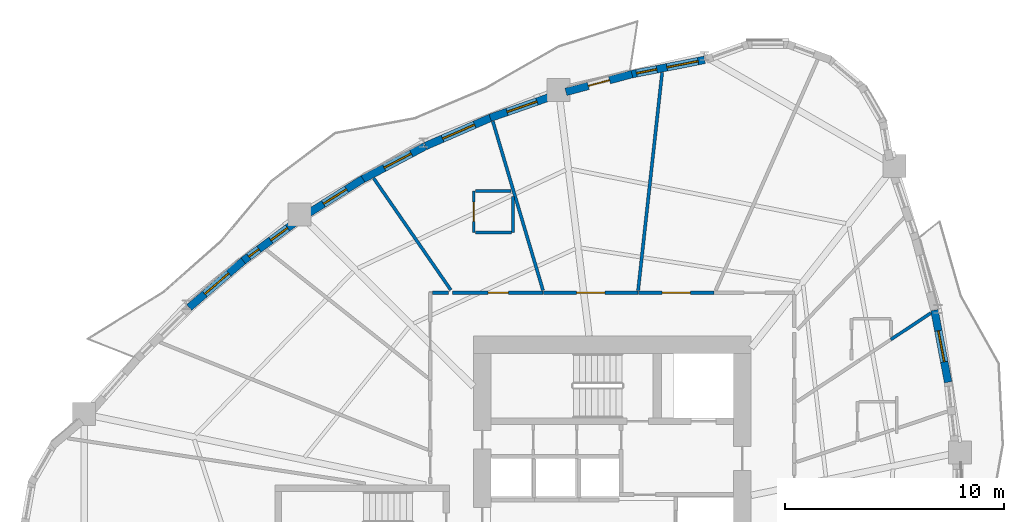
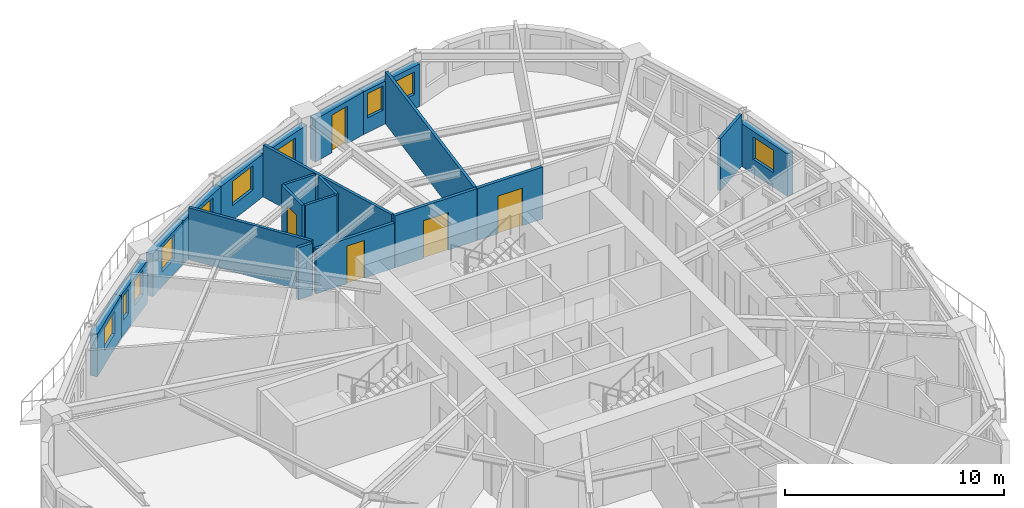
# One storey, part 8 of 13: 21 walls, 10 windows, 5 doors, 15 openings.
"""IFC4 building model written with IfcOpenShell, lengths in metres."""

from ifc_helpers import new_model, si_unit, direction, frame, frame_2d, origin, place, context, subcontext, project, spatial, rectangle, extrude, source, transform, mapped, material, layer, layer_set, type_object, element, fill, save


model = new_model("IFC4")

# Units and contexts
model_context = context("Model", 3, precision=1e-05, world=origin(), true_north=direction((0.0, 1.0)))
body_context = subcontext(model_context, "Body", "Model", "MODEL_VIEW")
ifc_project = project(units=[si_unit("LENGTHUNIT", "METRE"), si_unit("AREAUNIT", "SQUARE_METRE"), si_unit("VOLUMEUNIT", "CUBIC_METRE"), si_unit("PLANEANGLEUNIT", "RADIAN"), si_unit("MASSUNIT", "GRAM", prefix="KILO")], contexts=[model_context])

# Site, building, storey
site_placement = place(None, origin())
site = spatial("IfcSite", under=ifc_project, at=site_placement, CompositionType="ELEMENT")
building_placement = place(site_placement, origin())
building = spatial("IfcBuilding", under=site, at=building_placement, Name="Qafzar Sky-Pleat Residences", CompositionType="ELEMENT")
storey_placement = place(building_placement, frame((0.0, 0.0, 62.199951171875)))
storey = spatial("IfcBuildingStorey", under=building, at=storey_placement, Name="L18", CompositionType="ELEMENT", Elevation=62.199951171875)

# Wall, opening, door
ifc_material_1 = material(Name="Acoustic gypsum plasterboard partition", Category="gypsum")
ifc_layer_1 = layer(ifc_material_1, 0.159912109375)
ifc_layer_set_1 = layer_set([ifc_layer_1], Name="Acoustic gypsum plasterboard partition")
wall_type_1 = type_object("IfcWallType", Name="PART-COR-160", PredefinedType="PARTITIONING", material=ifc_layer_set_1)
wall_1_placement = place(storey_placement, frame((27.19189453125, 36.580078125, 0.0), z_axis=(0.0, 0.0, 1.0), x_axis=(1.0, 0.0, 0.0)))
wall_1 = element("IfcWall", 1, at=wall_1_placement, inside=storey, type_object=wall_type_1, Name="L18 Partition Wall PART-L18-PW-002", PredefinedType="PARTITIONING", context=body_context, shape_type="SweptSolid", body=[
    extrude(rectangle(XDim=4.339111328125, YDim=0.159912109375, at=frame_2d((2.16943359375, 0.0))), origin(), (0.0, 0.0, 1.0), 2.900146484375),
])
opening_1_placement = place(wall_1_placement, frame((1.52001953125, 0.0, 0.0)))
opening_1 = element("IfcOpeningElement", 2, at=opening_1_placement, cuts=wall_1, Name="Opening ID-05", PredefinedType="OPENING", context=body_context, shape_type="SweptSolid", body=[
    extrude(rectangle(XDim=1.300048828125, YDim=2.10009765625, at=frame_2d((0.64990234375, 1.050048828125))), frame((0.0, 0.08984375, 0.0), z_axis=(0.0, -1.0, 0.0), x_axis=(1.0, 0.0, 0.0)), (0.0, 0.0, 1.0), 0.179931640625),
])
ifc_material_2 = material(Name="Timber-faced fire door", Category="wood")
door_type_1 = type_object("IfcDoorType", Name="DR-LNG-1300", OperationType="DOUBLE_DOOR_SINGLE_SWING", PredefinedType="DOOR", material=ifc_material_2)
shared_shape_1 = source(origin(), body_context, "Body", "SweptSolid", [
    extrude(rectangle(XDim=1.300048828125, YDim=2.10009765625, at=frame_2d((0.64990234375, 1.050048828125))), frame((0.0, 0.02490234375, 0.0), z_axis=(0.0, -1.0, 0.0), x_axis=(1.0, 0.0, 0.0)), (0.0, 0.0, 1.0), 0.050048828125),
])
door_1_placement = place(opening_1_placement, origin())
door_1 = element("IfcDoor", 3, at=door_1_placement, inside=storey, type_object=door_type_1, Name="L18 Graduate Lecture Room Door", OperationType="DOUBLE_DOOR_SINGLE_SWING", OverallHeight=2.10009765625, OverallWidth=1.300048828125, PredefinedType="DOOR", context=body_context, shape_type="MappedRepresentation", body=[
    mapped(shared_shape_1, transform((0.0, 0.0, 0.0), x_axis=(1.0, 0.0, 0.0), y_axis=(0.0, 1.0, 0.0), z_axis=(0.0, 0.0, 1.0), scale=1.0)),
])
fill(opening_1, door_1)

wall_2_placement = place(storey_placement, frame((23.02490234375, 36.580078125, 0.0), z_axis=(0.0, 0.0, 1.0), x_axis=(1.0, 0.0, 0.0)))
wall_2 = element("IfcWall", 4, at=wall_2_placement, inside=storey, type_object=wall_type_1, Name="L18 Partition Wall PART-L18-PW-003", PredefinedType="PARTITIONING", context=body_context, shape_type="SweptSolid", body=[
    extrude(rectangle(XDim=4.152099609375, YDim=0.159912109375, at=frame_2d((2.076171875, 0.0))), origin(), (0.0, 0.0, 1.0), 2.508056640625),
])
opening_2_placement = place(wall_2_placement, frame((1.640380859375, 0.0, 0.0)))
opening_2 = element("IfcOpeningElement", 5, at=opening_2_placement, cuts=wall_2, Name="Opening ID-04", PredefinedType="OPENING", context=body_context, shape_type="SweptSolid", body=[
    extrude(rectangle(XDim=0.919921875, YDim=2.10009765625, at=frame_2d((0.4599609375, 1.050048828125))), frame((0.0, 0.08984375, 0.0), z_axis=(0.0, -1.0, 0.0), x_axis=(1.0, 0.0, 0.0)), (0.0, 0.0, 1.0), 0.179931640625),
])
door_type_2 = type_object("IfcDoorType", Name="DR-BED-920", OperationType="NOTDEFINED", PredefinedType="DOOR", material=ifc_material_2)
shared_shape_2 = source(origin(), body_context, "Body", "SweptSolid", [
    extrude(rectangle(XDim=0.919921875, YDim=2.10009765625, at=frame_2d((0.4599609375, 1.050048828125))), frame((0.0, 0.02490234375, 0.0), z_axis=(0.0, -1.0, 0.0), x_axis=(1.0, 0.0, 0.0)), (0.0, 0.0, 1.0), 0.050048828125),
])
door_2_placement = place(opening_2_placement, origin())
door_2 = element("IfcDoor", 6, at=door_2_placement, inside=storey, type_object=door_type_2, Name="L18 Co-Living Bedroom 9 Door", OperationType="SINGLE_SWING_LEFT", OverallHeight=2.10009765625, OverallWidth=0.919921875, PredefinedType="DOOR", context=body_context, shape_type="MappedRepresentation", body=[
    mapped(shared_shape_2, transform((0.0, 0.0, 0.0), x_axis=(1.0, 0.0, 0.0), y_axis=(0.0, 1.0, 0.0), z_axis=(0.0, 0.0, 1.0), scale=1.0)),
])
fill(opening_2, door_2)

wall_3_placement = place(storey_placement, frame((31.5458984375, 36.580078125, 0.0), z_axis=(0.0, 0.0, 1.0), x_axis=(1.0, 0.0, 0.0)))
wall_3 = element("IfcWall", 7, at=wall_3_placement, inside=storey, type_object=wall_type_1, Name="L18 Partition Wall PART-L18-PW-006", PredefinedType="PARTITIONING", context=body_context, shape_type="SweptSolid", body=[
    extrude(rectangle(XDim=3.4501953125, YDim=0.159912109375, at=frame_2d((1.72509765625, 0.0))), origin(), (0.0, 0.0, 1.0), 2.900146484375),
])
opening_3_placement = place(wall_3_placement, frame((1.075439453125, 0.0, 0.0)))
opening_3 = element("IfcOpeningElement", 8, at=opening_3_placement, cuts=wall_3, Name="Opening ID-05", PredefinedType="OPENING", context=body_context, shape_type="SweptSolid", body=[
    extrude(rectangle(XDim=1.300048828125, YDim=2.10009765625, at=frame_2d((0.64990234375, 1.050048828125))), frame((0.0, 0.08984375, 0.0), z_axis=(0.0, -1.0, 0.0), x_axis=(1.0, 0.0, 0.0)), (0.0, 0.0, 1.0), 0.179931640625),
])
door_3_placement = place(opening_3_placement, origin())
door_3 = element("IfcDoor", 9, at=door_3_placement, inside=storey, type_object=door_type_1, Name="L18 Research Conference Room Door", OperationType="DOUBLE_DOOR_SINGLE_SWING", OverallHeight=2.10009765625, OverallWidth=1.300048828125, PredefinedType="DOOR", context=body_context, shape_type="MappedRepresentation", body=[
    mapped(shared_shape_1, transform((0.0, 0.0, 0.0), x_axis=(1.0, 0.0, 0.0), y_axis=(0.0, 1.0, 0.0), z_axis=(0.0, 0.0, 1.0), scale=1.0)),
])
fill(opening_3, door_3)

# Walls
wall_4_placement = place(storey_placement, frame((22.10791015625, 36.580078125, 0.0), z_axis=(0.0, 0.0, 1.0), x_axis=(1.0, 0.0, 0.0)))
element("IfcWall", 10, at=wall_4_placement, inside=storey, type_object=wall_type_1, Name="L18 Partition Wall PART-L18-PW-082", PredefinedType="PARTITIONING", context=body_context, shape_type="SweptSolid", body=[
    extrude(rectangle(XDim=0.750732421875, YDim=0.159912109375, at=frame_2d((0.37548828125, 0.0))), origin(), (0.0, 0.0, 1.0), 2.900146484375),
])
ifc_layer_2 = layer(ifc_material_1, 0.14501953125)
ifc_layer_set_2 = layer_set([ifc_layer_2], Name="Acoustic gypsum plasterboard partition")
wall_type_2 = type_object("IfcWallType", Name="PART-UNIT-145", PredefinedType="PARTITIONING", material=ifc_layer_set_2)
wall_5_placement = place(storey_placement, frame((31.526611328125, 36.67578125, 0.0), z_axis=(0.0, 0.0, 1.0), x_axis=(0.109575491405, 0.993978476469, 0.0)))
element("IfcWall", 11, at=wall_5_placement, inside=storey, type_object=wall_type_2, Name="L18 Partition Wall PART-L18-PW-037", PredefinedType="PARTITIONING", context=body_context, shape_type="SweptSolid", body=[
    extrude(rectangle(XDim=10.048583984375, YDim=0.14501953125, at=frame_2d((5.0244140625, 0.0))), origin(), (0.0, 0.0, 1.0), 2.900146484375),
])
wall_6_placement = place(storey_placement, frame((24.87939453125, 44.42236328125, 0.0), z_axis=(0.0, 0.0, 1.0), x_axis=(0.284634354208, -0.958636158511, 0.0)))
element("IfcWall", 12, at=wall_6_placement, inside=storey, type_object=wall_type_2, Name="L18 Partition Wall PART-L18-PW-043", PredefinedType="PARTITIONING", context=body_context, shape_type="SweptSolid", body=[
    extrude(rectangle(XDim=8.06787109375, YDim=0.14501953125, at=frame_2d((4.033935546875, 0.0))), origin(), (0.0, 0.0, 1.0), 2.900146484375),
])
wall_7_placement = place(storey_placement, frame((19.42333984375, 41.82275390625, 0.0), z_axis=(0.0, 0.0, 1.0), x_axis=(0.568159686118, -0.822918325881, 0.0)))
element("IfcWall", 13, at=wall_7_placement, inside=storey, type_object=wall_type_2, Name="L18 Partition Wall PART-L18-PW-048", PredefinedType="PARTITIONING", context=body_context, shape_type="SweptSolid", body=[
    extrude(rectangle(XDim=6.215576171875, YDim=0.14501953125, at=frame_2d((3.10791015625, 0.0))), origin(), (0.0, 0.0, 1.0), 2.900146484375),
])
wall_8_placement = place(storey_placement, frame((43.093994140625, 34.43896484375, 0.0), z_axis=(0.0, 0.0, 1.0), x_axis=(0.833690342454, 0.552232209219, 0.0)))
element("IfcWall", 14, at=wall_8_placement, inside=storey, type_object=wall_type_2, Name="L18 Partition Wall PART-L18-PW-059", PredefinedType="PARTITIONING", context=body_context, shape_type="SweptSolid", body=[
    extrude(rectangle(XDim=2.193603515625, YDim=0.14501953125, at=frame_2d((1.0966796875, 0.0))), origin(), (0.0, 0.0, 1.0), 2.900146484375),
])

# Wall, opening, door
ifc_material_3 = material(Name="Moisture-resistant gypsum partition", Category="gypsum")
ifc_layer_3 = layer(ifc_material_3, 0.1298828125)
ifc_layer_set_3 = layer_set([ifc_layer_3], Name="Moisture-resistant gypsum partition")
wall_type_3 = type_object("IfcWallType", Name="PART-WET-130", PredefinedType="PARTITIONING", material=ifc_layer_set_3)
wall_9_placement = place(storey_placement, frame((24.0029296875, 41.23388671875, 0.0), z_axis=(0.0, 0.0, 1.0), x_axis=(0.0, -1.0, 0.0)))
wall_9 = element("IfcWall", 15, at=wall_9_placement, inside=storey, type_object=wall_type_3, Name="L18 Partition Wall PART-L18-PW-024", PredefinedType="PARTITIONING", context=body_context, shape_type="SweptSolid", body=[
    extrude(rectangle(XDim=1.89990234375, YDim=0.1298828125, at=frame_2d((0.949951171875, 0.0))), origin(), (0.0, 0.0, 1.0), 2.900146484375),
])
opening_4_placement = place(wall_9_placement, frame((0.510009765625, 0.0, 0.0)))
opening_4 = element("IfcOpeningElement", 16, at=opening_4_placement, cuts=wall_9, Name="Opening ID-07", PredefinedType="OPENING", context=body_context, shape_type="SweptSolid", body=[
    extrude(rectangle(XDim=0.8798828125, YDim=2.050048828125, at=frame_2d((0.43994140625, 1.02490234375))), frame((0.0, 0.074951171875, 0.0), z_axis=(0.0, -1.0, 0.0), x_axis=(1.0, 0.0, 0.0)), (0.0, 0.0, 1.0), 0.14990234375),
])
door_type_3 = type_object("IfcDoorType", Name="DR-WET-880", OperationType="NOTDEFINED", PredefinedType="DOOR", material=ifc_material_2)
shared_shape_3 = source(origin(), body_context, "Body", "SweptSolid", [
    extrude(rectangle(XDim=0.8798828125, YDim=2.050048828125, at=frame_2d((0.43994140625, 1.02490234375))), frame((0.0, 0.02490234375, 0.0), z_axis=(0.0, -1.0, 0.0), x_axis=(1.0, 0.0, 0.0)), (0.0, 0.0, 1.0), 0.050048828125),
])
door_4_placement = place(opening_4_placement, origin())
door_4 = element("IfcDoor", 17, at=door_4_placement, inside=storey, type_object=door_type_3, Name="L18 En-suite Bathroom 9 Door", OperationType="SINGLE_SWING_RIGHT", OverallHeight=2.050048828125, OverallWidth=0.8798828125, PredefinedType="DOOR", context=body_context, shape_type="MappedRepresentation", body=[
    mapped(shared_shape_3, transform((0.0, 0.0, 0.0), x_axis=(1.0, 0.0, 0.0), y_axis=(0.0, 1.0, 0.0), z_axis=(0.0, 0.0, 1.0), scale=1.0)),
])
fill(opening_4, door_4)

# Walls
wall_10_placement = place(storey_placement, frame((25.802978515625, 39.333984375, 0.0), z_axis=(0.0, 0.0, 1.0), x_axis=(0.0, 1.0, 0.0)))
element("IfcWall", 18, at=wall_10_placement, inside=storey, type_object=wall_type_3, Name="L18 Partition Wall PART-L18-PW-061", PredefinedType="PARTITIONING", context=body_context, shape_type="SweptSolid", body=[
    extrude(rectangle(XDim=1.659912109375, YDim=0.1298828125, at=frame_2d((0.830078125, 0.0))), origin(), (0.0, 0.0, 1.0), 2.900146484375),
])
wall_11_placement = place(storey_placement, frame((24.075927734375, 41.23388671875, 0.0), z_axis=(0.0, 0.0, 1.0), x_axis=(1.0, 0.0, 0.0)))
element("IfcWall", 19, at=wall_11_placement, inside=storey, type_object=wall_type_3, Name="L18 Partition Wall PART-L18-PW-066", PredefinedType="PARTITIONING", context=body_context, shape_type="SweptSolid", body=[
    extrude(rectangle(XDim=1.624267578125, YDim=0.1298828125, at=frame_2d((0.81201171875, 0.0))), origin(), (0.0, 0.0, 1.0), 2.900146484375),
])
wall_12_placement = place(storey_placement, frame((24.075927734375, 39.333984375, 0.0), z_axis=(0.0, 0.0, 1.0), x_axis=(1.0, 0.0, 0.0)))
element("IfcWall", 20, at=wall_12_placement, inside=storey, type_object=wall_type_3, Name="L18 Partition Wall PART-L18-PW-067", PredefinedType="PARTITIONING", context=body_context, shape_type="SweptSolid", body=[
    extrude(rectangle(XDim=1.654052734375, YDim=0.1298828125, at=frame_2d((0.8271484375, 0.0))), origin(), (0.0, 0.0, 1.0), 2.900146484375),
])

# Wall, opening, window
ifc_material_4 = material(Name="Precast concrete C40/50 with honed Riyadh limestone", Category="concrete")
ifc_layer_4 = layer(ifc_material_4, 0.35009765625)
ifc_layer_set_4 = layer_set([ifc_layer_4], Name="Precast concrete C40/50 with honed Riyadh limestone")
wall_type_4 = type_object("IfcWallType", Name="WALL-EXT-350", PredefinedType="SOLIDWALL", material=ifc_layer_set_4)
wall_13_placement = place(storey_placement, frame((45.71337890625, 32.48583984375, 0.0), z_axis=(0.0, 0.0, 1.0), x_axis=(-0.186603748992, 0.982435260392, 0.0)))
wall_13 = element("IfcWall", 21, at=wall_13_placement, inside=storey, type_object=wall_type_4, Name="L18 Limestone Facade Wall 30", PredefinedType="SOLIDWALL", context=body_context, shape_type="SweptSolid", body=[
    extrude(rectangle(XDim=3.3544921875, YDim=0.35009765625, at=frame_2d((1.67724609375, 0.0))), origin(), (0.0, 0.0, 1.0), 2.380126953125),
])
opening_5_placement = place(wall_13_placement, frame((0.94775390625, 0.0, 0.820068359375)))
opening_5 = element("IfcOpeningElement", 22, at=opening_5_placement, cuts=wall_13, Name="Opening WN-15", PredefinedType="OPENING", context=body_context, shape_type="SweptSolid", body=[
    extrude(rectangle(XDim=1.449951171875, YDim=1.25, at=frame_2d((0.72509765625, 0.625))), frame((0.0, 0.18505859375, 0.0), z_axis=(0.0, -1.0, 0.0), x_axis=(1.0, 0.0, 0.0)), (0.0, 0.0, 1.0), 0.3701171875),
])
ifc_material_5 = material(Name="Solar-control low-E glass in bronze aluminium frame", Category="glass")
window_type_1 = type_object("IfcWindowType", Name="WIN-15", PartitioningType="SINGLE_PANEL", PredefinedType="WINDOW", material=ifc_material_5)
shared_shape_4 = source(origin(), body_context, "Body", "SweptSolid", [
    extrude(rectangle(XDim=1.449951171875, YDim=1.25, at=frame_2d((0.72509765625, 0.625))), frame((0.0, 0.030029296875, 0.0), z_axis=(0.0, -1.0, 0.0), x_axis=(1.0, 0.0, 0.0)), (0.0, 0.0, 1.0), 0.06005859375),
])
window_1_placement = place(opening_5_placement, origin())
window_1 = element("IfcWindow", 23, at=window_1_placement, inside=storey, type_object=window_type_1, Name="L18 Punched Facade Window 30", OverallHeight=1.25, OverallWidth=1.449951171875, PartitioningType="SINGLE_PANEL", PredefinedType="WINDOW", context=body_context, shape_type="MappedRepresentation", body=[
    mapped(shared_shape_4, transform((0.0, 0.0, 0.0), x_axis=(1.0, 0.0, 0.0), y_axis=(0.0, 1.0, 0.0), z_axis=(0.0, 0.0, 1.0), scale=1.0)),
])
fill(opening_5, window_1)

# Wall, openings, windows
wall_14_placement = place(storey_placement, frame((34.57666015625, 47.23681640625, 0.0), z_axis=(0.0, 0.0, 1.0), x_axis=(-0.981238400755, -0.192798342532, 0.0)))
wall_14 = element("IfcWall", 24, at=wall_14_placement, inside=storey, type_object=wall_type_4, Name="L18 Limestone Facade Wall 39", PredefinedType="SOLIDWALL", context=body_context, shape_type="SweptSolid", body=[
    extrude(rectangle(XDim=3.482421875, YDim=0.35009765625, at=frame_2d((1.7412109375, 0.0))), origin(), (0.0, 0.0, 1.0), 2.380126953125),
])
opening_6_placement = place(wall_14_placement, frame((0.31298828125, 0.0, 0.820068359375)))
opening_6 = element("IfcOpeningElement", 25, at=opening_6_placement, cuts=wall_14, Name="Opening WN-15", PredefinedType="OPENING", context=body_context, shape_type="SweptSolid", body=[
    extrude(rectangle(XDim=1.449951171875, YDim=1.25, at=frame_2d((0.72509765625, 0.625))), frame((0.0, 0.18505859375, 0.0), z_axis=(0.0, -1.0, 0.0), x_axis=(1.0, 0.0, 0.0)), (0.0, 0.0, 1.0), 0.3701171875),
])
opening_7_placement = place(wall_14_placement, frame((2.234375, 0.0, 0.820068359375)))
opening_7 = element("IfcOpeningElement", 26, at=opening_7_placement, cuts=wall_14, Name="Opening WN-12", PredefinedType="OPENING", context=body_context, shape_type="SweptSolid", body=[
    extrude(rectangle(XDim=0.949951171875, YDim=1.35009765625, at=frame_2d((0.47509765625, 0.675048828125))), frame((0.0, 0.18505859375, 0.0), z_axis=(0.0, -1.0, 0.0), x_axis=(1.0, 0.0, 0.0)), (0.0, 0.0, 1.0), 0.3701171875),
])
window_type_2 = type_object("IfcWindowType", Name="WIN-12", PartitioningType="SINGLE_PANEL", PredefinedType="WINDOW", material=ifc_material_5)
shared_shape_5 = source(origin(), body_context, "Body", "SweptSolid", [
    extrude(rectangle(XDim=0.949951171875, YDim=1.35009765625, at=frame_2d((0.47509765625, 0.675048828125))), frame((0.0, 0.030029296875, 0.0), z_axis=(0.0, -1.0, 0.0), x_axis=(1.0, 0.0, 0.0)), (0.0, 0.0, 1.0), 0.06005859375),
])
window_2_placement = place(opening_7_placement, origin())
window_2 = element("IfcWindow", 27, at=window_2_placement, inside=storey, type_object=window_type_2, Name="L18 Punched Facade Window 39-2", OverallHeight=1.35009765625, OverallWidth=0.949951171875, PartitioningType="SINGLE_PANEL", PredefinedType="WINDOW", context=body_context, shape_type="MappedRepresentation", body=[
    mapped(shared_shape_5, transform((0.0, 0.0, 0.0), x_axis=(1.0, 0.0, 0.0), y_axis=(0.0, 1.0, 0.0), z_axis=(0.0, 0.0, 1.0), scale=1.0)),
])
fill(opening_7, window_2)
window_3_placement = place(opening_6_placement, origin())
window_3 = element("IfcWindow", 28, at=window_3_placement, inside=storey, type_object=window_type_1, Name="L18 Punched Facade Window 39", OverallHeight=1.25, OverallWidth=1.449951171875, PartitioningType="SINGLE_PANEL", PredefinedType="WINDOW", context=body_context, shape_type="MappedRepresentation", body=[
    mapped(shared_shape_4, transform((0.0, 0.0, 0.0), x_axis=(1.0, 0.0, 0.0), y_axis=(0.0, 1.0, 0.0), z_axis=(0.0, 0.0, 1.0), scale=1.0)),
])
fill(opening_6, window_3)

# Wall, opening, door
wall_15_placement = place(storey_placement, frame((31.24560546875, 46.585205078125, 0.0), z_axis=(0.0, 0.0, 1.0), x_axis=(-0.965469506164, -0.260516089076, 0.0)))
wall_15 = element("IfcWall", 29, at=wall_15_placement, inside=storey, type_object=wall_type_4, Name="L18 Limestone Facade Wall 40", PredefinedType="SOLIDWALL", context=body_context, shape_type="SweptSolid", body=[
    extrude(rectangle(XDim=3.130126953125, YDim=0.35009765625, at=frame_2d((1.56494140625, 0.0))), origin(), (0.0, 0.0, 1.0), 2.380126953125),
])
opening_8_placement = place(wall_15_placement, frame((1.06494140625, 0.0, 0.0)))
opening_8 = element("IfcOpeningElement", 30, at=opening_8_placement, cuts=wall_15, Name="Opening ED-05", PredefinedType="OPENING", context=body_context, shape_type="SweptSolid", body=[
    extrude(rectangle(XDim=1.0, YDim=2.10009765625, at=frame_2d((0.5, 1.050048828125))), frame((0.0, 0.18505859375, 0.0), z_axis=(0.0, -1.0, 0.0), x_axis=(1.0, 0.0, 0.0)), (0.0, 0.0, 1.0), 0.3701171875),
])
ifc_material_6 = material(Name="Glazed bronze aluminium door", Category="aluminium")
door_type_4 = type_object("IfcDoorType", Name="DR-BAL-1000", OperationType="NOTDEFINED", PredefinedType="DOOR", material=ifc_material_6)
shared_shape_6 = source(origin(), body_context, "Body", "SweptSolid", [
    extrude(rectangle(XDim=1.0, YDim=2.10009765625, at=frame_2d((0.5, 1.050048828125))), frame((0.0, 0.02490234375, 0.0), z_axis=(0.0, -1.0, 0.0), x_axis=(1.0, 0.0, 0.0)), (0.0, 0.0, 1.0), 0.050048828125),
])
door_5_placement = place(opening_8_placement, origin())
door_5 = element("IfcDoor", 31, at=door_5_placement, inside=storey, type_object=door_type_4, Name="L18 Glazed Balcony Door 2", OperationType="SINGLE_SWING_LEFT", OverallHeight=2.10009765625, OverallWidth=1.0, PredefinedType="DOOR", context=body_context, shape_type="MappedRepresentation", body=[
    mapped(shared_shape_6, transform((0.0, 0.0, 0.0), x_axis=(1.0, 0.0, 0.0), y_axis=(0.0, 1.0, 0.0), z_axis=(0.0, 0.0, 1.0), scale=1.0)),
])
fill(opening_8, door_5)

# Wall, opening, window
wall_16_placement = place(storey_placement, frame((27.662841796875, 45.596435546875, 0.0), z_axis=(0.0, 0.0, 1.0), x_axis=(-0.944134113087, -0.329561491236, 0.0)))
wall_16 = element("IfcWall", 32, at=wall_16_placement, inside=storey, type_object=wall_type_4, Name="L18 Limestone Facade Wall 41", PredefinedType="SOLIDWALL", context=body_context, shape_type="SweptSolid", body=[
    extrude(rectangle(XDim=3.07421875, YDim=0.35009765625, at=frame_2d((1.537109375, 0.0))), origin(), (0.0, 0.0, 1.0), 2.380126953125),
])
opening_9_placement = place(wall_16_placement, frame((0.807373046875, 0.0, 0.820068359375)))
opening_9 = element("IfcOpeningElement", 33, at=opening_9_placement, cuts=wall_16, Name="Opening WN-15", PredefinedType="OPENING", context=body_context, shape_type="SweptSolid", body=[
    extrude(rectangle(XDim=1.449951171875, YDim=1.25, at=frame_2d((0.72509765625, 0.625))), frame((0.0, 0.18505859375, 0.0), z_axis=(0.0, -1.0, 0.0), x_axis=(1.0, 0.0, 0.0)), (0.0, 0.0, 1.0), 0.3701171875),
])
window_4_placement = place(opening_9_placement, origin())
window_4 = element("IfcWindow", 34, at=window_4_placement, inside=storey, type_object=window_type_1, Name="L18 Punched Facade Window 41", OverallHeight=1.25, OverallWidth=1.449951171875, PartitioningType="SINGLE_PANEL", PredefinedType="WINDOW", context=body_context, shape_type="MappedRepresentation", body=[
    mapped(shared_shape_4, transform((0.0, 0.0, 0.0), x_axis=(1.0, 0.0, 0.0), y_axis=(0.0, 1.0, 0.0), z_axis=(0.0, 0.0, 1.0), scale=1.0)),
])
fill(opening_9, window_4)

wall_17_placement = place(storey_placement, frame((24.843017578125, 44.615478515625, 0.0), z_axis=(0.0, 0.0, 1.0), x_axis=(-0.917119193404, -0.398613076918, 0.0)))
wall_17 = element("IfcWall", 35, at=wall_17_placement, inside=storey, type_object=wall_type_4, Name="L18 Limestone Facade Wall 42", PredefinedType="SOLIDWALL", context=body_context, shape_type="SweptSolid", body=[
    extrude(rectangle(XDim=3.317138671875, YDim=0.35009765625, at=frame_2d((1.65869140625, 0.0))), origin(), (0.0, 0.0, 1.0), 2.380126953125),
])
opening_10_placement = place(wall_17_placement, frame((0.86865234375, 0.0, 0.820068359375)))
opening_10 = element("IfcOpeningElement", 36, at=opening_10_placement, cuts=wall_17, Name="Opening WN-09", PredefinedType="OPENING", context=body_context, shape_type="SweptSolid", body=[
    extrude(rectangle(XDim=1.60009765625, YDim=1.35009765625, at=frame_2d((0.800048828125, 0.675048828125))), frame((0.0, 0.18505859375, 0.0), z_axis=(0.0, -1.0, 0.0), x_axis=(1.0, 0.0, 0.0)), (0.0, 0.0, 1.0), 0.3701171875),
])
window_type_3 = type_object("IfcWindowType", Name="WIN-09", PartitioningType="DOUBLE_PANEL_VERTICAL", PredefinedType="WINDOW", material=ifc_material_5)
shared_shape_7 = source(origin(), body_context, "Body", "SweptSolid", [
    extrude(rectangle(XDim=1.60009765625, YDim=1.35009765625, at=frame_2d((0.800048828125, 0.675048828125))), frame((0.0, 0.030029296875, 0.0), z_axis=(0.0, -1.0, 0.0), x_axis=(1.0, 0.0, 0.0)), (0.0, 0.0, 1.0), 0.06005859375),
])
window_5_placement = place(opening_10_placement, origin())
window_5 = element("IfcWindow", 37, at=window_5_placement, inside=storey, type_object=window_type_3, Name="L18 Punched Facade Window 42", OverallHeight=1.35009765625, OverallWidth=1.60009765625, PartitioningType="SINGLE_PANEL", PredefinedType="WINDOW", context=body_context, shape_type="MappedRepresentation", body=[
    mapped(shared_shape_7, transform((0.0, 0.0, 0.0), x_axis=(1.0, 0.0, 0.0), y_axis=(0.0, 1.0, 0.0), z_axis=(0.0, 0.0, 1.0), scale=1.0)),
])
fill(opening_10, window_5)

wall_18_placement = place(storey_placement, frame((21.77685546875, 43.281494140625, 0.0), z_axis=(0.0, 0.0, 1.0), x_axis=(-0.884381357857, -0.466765052113, 0.0)))
wall_18 = element("IfcWall", 38, at=wall_18_placement, inside=storey, type_object=wall_type_4, Name="L18 Limestone Facade Wall 43", PredefinedType="SOLIDWALL", context=body_context, shape_type="SweptSolid", body=[
    extrude(rectangle(XDim=3.29833984375, YDim=0.35009765625, at=frame_2d((1.649169921875, 0.0))), origin(), (0.0, 0.0, 1.0), 2.380126953125),
])
opening_11_placement = place(wall_18_placement, frame((0.712646484375, 0.0, 0.820068359375)))
opening_11 = element("IfcOpeningElement", 39, at=opening_11_placement, cuts=wall_18, Name="Opening WN-10", PredefinedType="OPENING", context=body_context, shape_type="SweptSolid", body=[
    extrude(rectangle(XDim=1.39990234375, YDim=1.35009765625, at=frame_2d((0.699951171875, 0.675048828125))), frame((0.0, 0.18505859375, 0.0), z_axis=(0.0, -1.0, 0.0), x_axis=(1.0, 0.0, 0.0)), (0.0, 0.0, 1.0), 0.3701171875),
])
window_type_4 = type_object("IfcWindowType", Name="WIN-10", PartitioningType="SINGLE_PANEL", PredefinedType="WINDOW", material=ifc_material_5)
shared_shape_8 = source(origin(), body_context, "Body", "SweptSolid", [
    extrude(rectangle(XDim=1.39990234375, YDim=1.35009765625, at=frame_2d((0.699951171875, 0.675048828125))), frame((0.0, 0.030029296875, 0.0), z_axis=(0.0, -1.0, 0.0), x_axis=(1.0, 0.0, 0.0)), (0.0, 0.0, 1.0), 0.06005859375),
])
window_6_placement = place(opening_11_placement, origin())
window_6 = element("IfcWindow", 40, at=window_6_placement, inside=storey, type_object=window_type_4, Name="L18 Punched Facade Window 43", OverallHeight=1.35009765625, OverallWidth=1.39990234375, PartitioningType="SINGLE_PANEL", PredefinedType="WINDOW", context=body_context, shape_type="MappedRepresentation", body=[
    mapped(shared_shape_8, transform((0.0, 0.0, 0.0), x_axis=(1.0, 0.0, 0.0), y_axis=(0.0, 1.0, 0.0), z_axis=(0.0, 0.0, 1.0), scale=1.0)),
])
fill(opening_11, window_6)

wall_19_placement = place(storey_placement, frame((18.93701171875, 41.78662109375, 0.0), z_axis=(0.0, 0.0, 1.0), x_axis=(-0.84639489148, -0.532555807101, 0.0)))
wall_19 = element("IfcWall", 41, at=wall_19_placement, inside=storey, type_object=wall_type_4, Name="L18 Limestone Facade Wall 44", PredefinedType="SOLIDWALL", context=body_context, shape_type="SweptSolid", body=[
    extrude(rectangle(XDim=3.018310546875, YDim=0.35009765625, at=frame_2d((1.50927734375, 0.0))), origin(), (0.0, 0.0, 1.0), 2.380126953125),
])
opening_12_placement = place(wall_19_placement, frame((0.88916015625, 0.0, 0.820068359375)))
opening_12 = element("IfcOpeningElement", 42, at=opening_12_placement, cuts=wall_19, Name="Opening WN-11", PredefinedType="OPENING", context=body_context, shape_type="SweptSolid", body=[
    extrude(rectangle(XDim=1.25, YDim=1.35009765625, at=frame_2d((0.625, 0.675048828125))), frame((0.0, 0.18505859375, 0.0), z_axis=(0.0, -1.0, 0.0), x_axis=(1.0, 0.0, 0.0)), (0.0, 0.0, 1.0), 0.3701171875),
])
window_type_5 = type_object("IfcWindowType", Name="WIN-11", PartitioningType="SINGLE_PANEL", PredefinedType="WINDOW", material=ifc_material_5)
shared_shape_9 = source(origin(), body_context, "Body", "SweptSolid", [
    extrude(rectangle(XDim=1.25, YDim=1.35009765625, at=frame_2d((0.625, 0.675048828125))), frame((0.0, 0.030029296875, 0.0), z_axis=(0.0, -1.0, 0.0), x_axis=(1.0, 0.0, 0.0)), (0.0, 0.0, 1.0), 0.06005859375),
])
window_7_placement = place(opening_12_placement, origin())
window_7 = element("IfcWindow", 43, at=window_7_placement, inside=storey, type_object=window_type_5, Name="L18 Punched Facade Window 44", OverallHeight=1.35009765625, OverallWidth=1.25, PartitioningType="SINGLE_PANEL", PredefinedType="WINDOW", context=body_context, shape_type="MappedRepresentation", body=[
    mapped(shared_shape_9, transform((0.0, 0.0, 0.0), x_axis=(1.0, 0.0, 0.0), y_axis=(0.0, 1.0, 0.0), z_axis=(0.0, 0.0, 1.0), scale=1.0)),
])
fill(opening_12, window_7)

# Wall, openings, windows
wall_20_placement = place(storey_placement, frame((15.898193359375, 39.8486328125, 0.0), z_axis=(0.0, 0.0, 1.0), x_axis=(-0.803775013519, -0.594933380844, 0.0)))
wall_20 = element("IfcWall", 44, at=wall_20_placement, inside=storey, type_object=wall_type_4, Name="L18 Limestone Facade Wall 45", PredefinedType="SOLIDWALL", context=body_context, shape_type="SweptSolid", body=[
    extrude(rectangle(XDim=3.037109375, YDim=0.35009765625, at=frame_2d((1.5185546875, 0.0))), origin(), (0.0, 0.0, 1.0), 2.380126953125),
])
opening_13_placement = place(wall_20_placement, frame((0.51318359375, 0.0, 0.820068359375)))
opening_13 = element("IfcOpeningElement", 45, at=opening_13_placement, cuts=wall_20, Name="Opening WN-12", PredefinedType="OPENING", context=body_context, shape_type="SweptSolid", body=[
    extrude(rectangle(XDim=0.949951171875, YDim=1.35009765625, at=frame_2d((0.47509765625, 0.675048828125))), frame((0.0, 0.18505859375, 0.0), z_axis=(0.0, -1.0, 0.0), x_axis=(1.0, 0.0, 0.0)), (0.0, 0.0, 1.0), 0.3701171875),
])
opening_14_placement = place(wall_20_placement, frame((2.141845703125, 0.0, 0.820068359375)))
opening_14 = element("IfcOpeningElement", 46, at=opening_14_placement, cuts=wall_20, Name="Opening WN-17", PredefinedType="OPENING", context=body_context, shape_type="SweptSolid", body=[
    extrude(rectangle(XDim=0.580078125, YDim=1.35009765625, at=frame_2d((0.2900390625, 0.675048828125))), frame((0.0, 0.18505859375, 0.0), z_axis=(0.0, -1.0, 0.0), x_axis=(1.0, 0.0, 0.0)), (0.0, 0.0, 1.0), 0.3701171875),
])
window_8_placement = place(opening_13_placement, origin())
window_8 = element("IfcWindow", 47, at=window_8_placement, inside=storey, type_object=window_type_2, Name="L18 Punched Facade Window 45", OverallHeight=1.35009765625, OverallWidth=0.949951171875, PartitioningType="SINGLE_PANEL", PredefinedType="WINDOW", context=body_context, shape_type="MappedRepresentation", body=[
    mapped(shared_shape_5, transform((0.0, 0.0, 0.0), x_axis=(1.0, 0.0, 0.0), y_axis=(0.0, 1.0, 0.0), z_axis=(0.0, 0.0, 1.0), scale=1.0)),
])
fill(opening_13, window_8)
window_type_6 = type_object("IfcWindowType", Name="WIN-17", PartitioningType="SINGLE_PANEL", PredefinedType="WINDOW", material=ifc_material_5)
shared_shape_10 = source(origin(), body_context, "Body", "SweptSolid", [
    extrude(rectangle(XDim=0.580078125, YDim=1.35009765625, at=frame_2d((0.2900390625, 0.675048828125))), frame((0.0, 0.030029296875, 0.0), z_axis=(0.0, -1.0, 0.0), x_axis=(1.0, 0.0, 0.0)), (0.0, 0.0, 1.0), 0.06005859375),
])
window_9_placement = place(opening_14_placement, origin())
window_9 = element("IfcWindow", 48, at=window_9_placement, inside=storey, type_object=window_type_6, Name="L18 Punched Facade Window 45-2", OverallHeight=1.35009765625, OverallWidth=0.580078125, PartitioningType="SINGLE_PANEL", PredefinedType="WINDOW", context=body_context, shape_type="MappedRepresentation", body=[
    mapped(shared_shape_10, transform((0.0, 0.0, 0.0), x_axis=(1.0, 0.0, 0.0), y_axis=(0.0, 1.0, 0.0), z_axis=(0.0, 0.0, 1.0), scale=1.0)),
])
fill(opening_14, window_9)

# Wall, opening, window
wall_21_placement = place(storey_placement, frame((13.5263671875, 38.097412109375, 0.0), z_axis=(0.0, 0.0, 1.0), x_axis=(-0.757460843483, -0.652880594435, 0.0)))
wall_21 = element("IfcWall", 49, at=wall_21_placement, inside=storey, type_object=wall_type_4, Name="L18 Limestone Facade Wall 46", PredefinedType="SOLIDWALL", context=body_context, shape_type="SweptSolid", body=[
    extrude(rectangle(XDim=3.354736328125, YDim=0.35009765625, at=frame_2d((1.67724609375, 0.0))), origin(), (0.0, 0.0, 1.0), 2.380126953125),
])
opening_15_placement = place(wall_21_placement, frame((0.96240234375, 0.0, 0.820068359375)))
opening_15 = element("IfcOpeningElement", 50, at=opening_15_placement, cuts=wall_21, Name="Opening WN-15", PredefinedType="OPENING", context=body_context, shape_type="SweptSolid", body=[
    extrude(rectangle(XDim=1.449951171875, YDim=1.25, at=frame_2d((0.72509765625, 0.625))), frame((0.0, 0.18505859375, 0.0), z_axis=(0.0, -1.0, 0.0), x_axis=(1.0, 0.0, 0.0)), (0.0, 0.0, 1.0), 0.3701171875),
])
window_10_placement = place(opening_15_placement, origin())
window_10 = element("IfcWindow", 51, at=window_10_placement, inside=storey, type_object=window_type_1, Name="L18 Punched Facade Window 46", OverallHeight=1.25, OverallWidth=1.449951171875, PartitioningType="SINGLE_PANEL", PredefinedType="WINDOW", context=body_context, shape_type="MappedRepresentation", body=[
    mapped(shared_shape_4, transform((0.0, 0.0, 0.0), x_axis=(1.0, 0.0, 0.0), y_axis=(0.0, 1.0, 0.0), z_axis=(0.0, 0.0, 1.0), scale=1.0)),
])
fill(opening_15, window_10)

save(model, "model.ifc")
